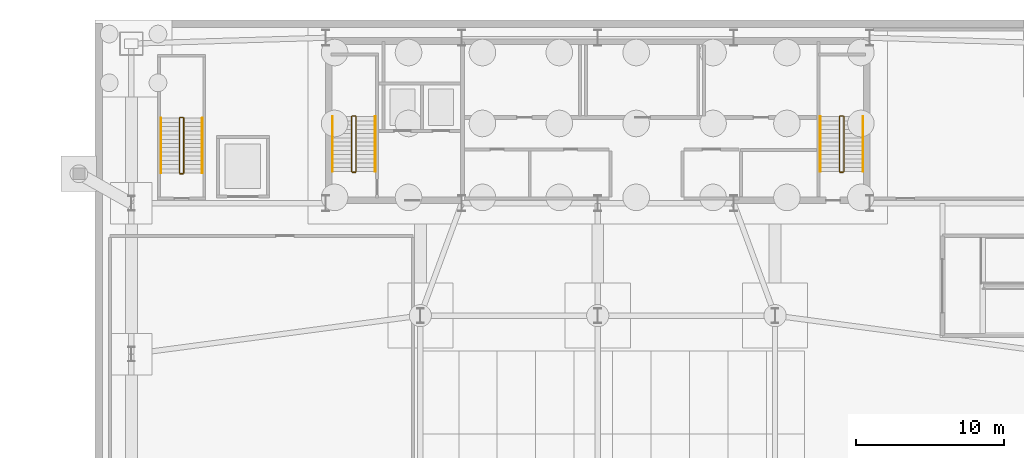
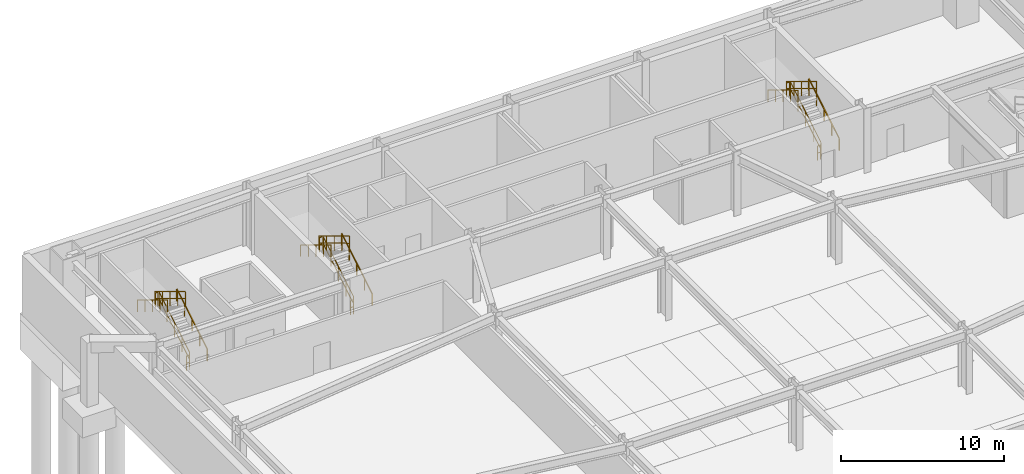
# One storey, part 10 of 12: 18 railings.
"""IFC4 building model written with IfcOpenShell, lengths in metres."""

from ifc_helpers import new_model, si_unit, direction, frame, origin, origin_2d, place, context, subcontext, project, spatial, rectangle, extrude, material, type_object, element, save


model = new_model("IFC4")

# Units and contexts
model_context = context("Model", 3, precision=1e-05, world=origin(), true_north=direction((0.0, 1.0)))
body_context = subcontext(model_context, "Body", "Model", "MODEL_VIEW")
ifc_project = project(units=[si_unit("LENGTHUNIT", "METRE"), si_unit("AREAUNIT", "SQUARE_METRE"), si_unit("VOLUMEUNIT", "CUBIC_METRE"), si_unit("PLANEANGLEUNIT", "RADIAN"), si_unit("MASSUNIT", "GRAM", prefix="KILO")], contexts=[model_context])

# Site, building, storey
site_placement = place(None, origin())
site = spatial("IfcSite", under=ifc_project, at=site_placement, CompositionType="ELEMENT")
building_placement = place(site_placement, origin())
building = spatial("IfcBuilding", under=site, at=building_placement, Name="Varnel Quay Broadcast Tower", CompositionType="ELEMENT")
storey_placement = place(building_placement, frame((0.0, 0.0, -9.60009765625)))
storey = spatial("IfcBuildingStorey", under=building, at=storey_placement, Name="B2", CompositionType="ELEMENT", Elevation=-9.60009765625)

# Railings
ifc_material = material(Name="Painted Steel Guard and Handrail CSA G40.21 350W", Category="steel")
railing_type_1 = type_object("IfcRailingType", Name="Rail_StairGuard1100", PredefinedType="GUARDRAIL", material=ifc_material)
railing_1_placement = place(storey_placement, frame((17.64990234375, 37.75, 0.171630859375)))
element("IfcRailing", 1, at=railing_1_placement, inside=storey, type_object=railing_type_1, Name="B2 ST-01 stair guard 1", PredefinedType="GUARDRAIL", context=body_context, shape_type="SweptSolid", body=[
    extrude(rectangle(XDim=0.048095703125, YDim=0.048095703125, at=origin_2d()), frame((0.0, 0.0, 1.076171875), z_axis=(0.0, 0.856934400257, 0.515425487977), x_axis=(-1.0, 0.0, 0.0)), (0.0, 0.0, 1.0), 4.32373046875),
    extrude(rectangle(XDim=0.048095703125, YDim=0.048095703125, at=origin_2d()), frame((0.0, 0.0, 0.550048828125), z_axis=(0.0, 0.856934400257, 0.515425487977), x_axis=(-1.0, 0.0, 0.0)), (0.0, 0.0, 1.0), 4.32373046875),
    extrude(rectangle(XDim=0.0419921875, YDim=0.0419921875, at=origin_2d()), origin(), (0.0, 0.0, 1.0), 1.052001953125),
    extrude(rectangle(XDim=0.0419921875, YDim=0.0419921875, at=origin_2d()), frame((0.0, 0.92626953125, 0.55712890625)), (0.0, 0.0, 1.0), 1.052001953125),
    extrude(rectangle(XDim=0.0419921875, YDim=0.0419921875, at=origin_2d()), frame((0.0, 1.8525390625, 1.1142578125)), (0.0, 0.0, 1.0), 1.052001953125),
    extrude(rectangle(XDim=0.0419921875, YDim=0.0419921875, at=origin_2d()), frame((0.0, 2.77880859375, 1.67138671875)), (0.0, 0.0, 1.0), 1.052001953125),
    extrude(rectangle(XDim=0.0419921875, YDim=0.0419921875, at=origin_2d()), frame((0.0, 3.705078125, 2.228515625)), (0.0, 0.0, 1.0), 1.052001953125),
])
railing_2_placement = place(storey_placement, frame((17.60009765625, 41.5048828125, 2.400146484375)))
element("IfcRailing", 2, at=railing_2_placement, inside=storey, type_object=railing_type_1, Name="B2 ST-01 stair guard 2", PredefinedType="GUARDRAIL", context=body_context, shape_type="SweptSolid", body=[
    extrude(rectangle(XDim=0.048095703125, YDim=0.048095703125, at=origin_2d()), frame((0.0, 0.0, 1.076171875), z_axis=(-1.0, 0.0, 0.0), x_axis=(0.0, -1.0, 0.0)), (0.0, 0.0, 1.0), 0.2001953125),
    extrude(rectangle(XDim=0.048095703125, YDim=0.048095703125, at=origin_2d()), frame((0.0, 0.0, 0.550048828125), z_axis=(-1.0, 0.0, 0.0), x_axis=(0.0, -1.0, 0.0)), (0.0, 0.0, 1.0), 0.2001953125),
    extrude(rectangle(XDim=0.0419921875, YDim=0.0419921875, at=origin_2d()), origin(), (0.0, 0.0, 1.0), 1.052001953125),
    extrude(rectangle(XDim=0.0419921875, YDim=0.0419921875, at=origin_2d()), frame((-0.2001953125, 0.0, 0.0)), (0.0, 0.0, 1.0), 1.052001953125),
])
railing_3_placement = place(storey_placement, frame((17.35009765625, 41.455078125, 2.571533203125)))
element("IfcRailing", 3, at=railing_3_placement, inside=storey, type_object=railing_type_1, Name="B2 ST-01 stair guard 3", PredefinedType="GUARDRAIL", context=body_context, shape_type="SweptSolid", body=[
    extrude(rectangle(XDim=0.048095703125, YDim=0.048095703125, at=origin_2d()), frame((0.0, 0.0, 1.076171875), z_axis=(0.0, -0.856934400257, 0.515425487977), x_axis=(1.0, 0.0, 0.0)), (0.0, 0.0, 1.0), 4.32373046875),
    extrude(rectangle(XDim=0.048095703125, YDim=0.048095703125, at=origin_2d()), frame((0.0, 0.0, 0.550048828125), z_axis=(0.0, -0.856934400257, 0.515425487977), x_axis=(1.0, 0.0, 0.0)), (0.0, 0.0, 1.0), 4.32373046875),
    extrude(rectangle(XDim=0.0419921875, YDim=0.0419921875, at=origin_2d()), origin(), (0.0, 0.0, 1.0), 1.052001953125),
    extrude(rectangle(XDim=0.0419921875, YDim=0.0419921875, at=origin_2d()), frame((0.0, -0.92626953125, 0.55712890625)), (0.0, 0.0, 1.0), 1.052001953125),
    extrude(rectangle(XDim=0.0419921875, YDim=0.0419921875, at=origin_2d()), frame((0.0, -1.8525390625, 1.1142578125)), (0.0, 0.0, 1.0), 1.052001953125),
    extrude(rectangle(XDim=0.0419921875, YDim=0.0419921875, at=origin_2d()), frame((0.0, -2.77880859375, 1.67138671875)), (0.0, 0.0, 1.0), 1.052001953125),
    extrude(rectangle(XDim=0.0419921875, YDim=0.0419921875, at=origin_2d()), frame((0.0, -3.705078125, 2.228515625)), (0.0, 0.0, 1.0), 1.052001953125),
])
railing_4_placement = place(storey_placement, frame((17.60009765625, 37.699951171875, 0.0)))
element("IfcRailing", 4, at=railing_4_placement, inside=storey, type_object=railing_type_1, Name="B2 ST-01 stair guard 4", PredefinedType="GUARDRAIL", context=body_context, shape_type="SweptSolid", body=[
    extrude(rectangle(XDim=0.048095703125, YDim=0.048095703125, at=origin_2d()), frame((0.0, 0.0, 1.076171875), z_axis=(-1.0, 0.0, 0.0), x_axis=(0.0, -1.0, 0.0)), (0.0, 0.0, 1.0), 0.2001953125),
    extrude(rectangle(XDim=0.048095703125, YDim=0.048095703125, at=origin_2d()), frame((0.0, 0.0, 0.550048828125), z_axis=(-1.0, 0.0, 0.0), x_axis=(0.0, -1.0, 0.0)), (0.0, 0.0, 1.0), 0.2001953125),
    extrude(rectangle(XDim=0.0419921875, YDim=0.0419921875, at=origin_2d()), origin(), (0.0, 0.0, 1.0), 1.052001953125),
    extrude(rectangle(XDim=0.0419921875, YDim=0.0419921875, at=origin_2d()), frame((-0.2001953125, 0.0, 0.0)), (0.0, 0.0, 1.0), 1.052001953125),
])
railing_5_placement = place(storey_placement, frame((50.64990234375, 37.75, 0.171630859375)))
element("IfcRailing", 5, at=railing_5_placement, inside=storey, type_object=railing_type_1, Name="B2 ST-02 stair guard 1", PredefinedType="GUARDRAIL", context=body_context, shape_type="SweptSolid", body=[
    extrude(rectangle(XDim=0.048095703125, YDim=0.048095703125, at=origin_2d()), frame((0.0, 0.0, 1.076171875), z_axis=(0.0, 0.856934400257, 0.515425487977), x_axis=(-1.0, 0.0, 0.0)), (0.0, 0.0, 1.0), 4.32373046875),
    extrude(rectangle(XDim=0.048095703125, YDim=0.048095703125, at=origin_2d()), frame((0.0, 0.0, 0.550048828125), z_axis=(0.0, 0.856934400257, 0.515425487977), x_axis=(-1.0, 0.0, 0.0)), (0.0, 0.0, 1.0), 4.32373046875),
    extrude(rectangle(XDim=0.0419921875, YDim=0.0419921875, at=origin_2d()), origin(), (0.0, 0.0, 1.0), 1.052001953125),
    extrude(rectangle(XDim=0.0419921875, YDim=0.0419921875, at=origin_2d()), frame((0.0, 0.92626953125, 0.55712890625)), (0.0, 0.0, 1.0), 1.052001953125),
    extrude(rectangle(XDim=0.0419921875, YDim=0.0419921875, at=origin_2d()), frame((0.0, 1.8525390625, 1.1142578125)), (0.0, 0.0, 1.0), 1.052001953125),
    extrude(rectangle(XDim=0.0419921875, YDim=0.0419921875, at=origin_2d()), frame((0.0, 2.77880859375, 1.67138671875)), (0.0, 0.0, 1.0), 1.052001953125),
    extrude(rectangle(XDim=0.0419921875, YDim=0.0419921875, at=origin_2d()), frame((0.0, 3.705078125, 2.228515625)), (0.0, 0.0, 1.0), 1.052001953125),
])
railing_6_placement = place(storey_placement, frame((50.60009765625, 41.5048828125, 2.400146484375)))
element("IfcRailing", 6, at=railing_6_placement, inside=storey, type_object=railing_type_1, Name="B2 ST-02 stair guard 2", PredefinedType="GUARDRAIL", context=body_context, shape_type="SweptSolid", body=[
    extrude(rectangle(XDim=0.048095703125, YDim=0.048095703125, at=origin_2d()), frame((0.0, 0.0, 1.076171875), z_axis=(-1.0, 0.0, 0.0), x_axis=(0.0, -1.0, 0.0)), (0.0, 0.0, 1.0), 0.2001953125),
    extrude(rectangle(XDim=0.048095703125, YDim=0.048095703125, at=origin_2d()), frame((0.0, 0.0, 0.550048828125), z_axis=(-1.0, 0.0, 0.0), x_axis=(0.0, -1.0, 0.0)), (0.0, 0.0, 1.0), 0.2001953125),
    extrude(rectangle(XDim=0.0419921875, YDim=0.0419921875, at=origin_2d()), origin(), (0.0, 0.0, 1.0), 1.052001953125),
    extrude(rectangle(XDim=0.0419921875, YDim=0.0419921875, at=origin_2d()), frame((-0.2001953125, 0.0, 0.0)), (0.0, 0.0, 1.0), 1.052001953125),
])
railing_7_placement = place(storey_placement, frame((50.35009765625, 41.455078125, 2.571533203125)))
element("IfcRailing", 7, at=railing_7_placement, inside=storey, type_object=railing_type_1, Name="B2 ST-02 stair guard 3", PredefinedType="GUARDRAIL", context=body_context, shape_type="SweptSolid", body=[
    extrude(rectangle(XDim=0.048095703125, YDim=0.048095703125, at=origin_2d()), frame((0.0, 0.0, 1.076171875), z_axis=(0.0, -0.856934400257, 0.515425487977), x_axis=(1.0, 0.0, 0.0)), (0.0, 0.0, 1.0), 4.32373046875),
    extrude(rectangle(XDim=0.048095703125, YDim=0.048095703125, at=origin_2d()), frame((0.0, 0.0, 0.550048828125), z_axis=(0.0, -0.856934400257, 0.515425487977), x_axis=(1.0, 0.0, 0.0)), (0.0, 0.0, 1.0), 4.32373046875),
    extrude(rectangle(XDim=0.0419921875, YDim=0.0419921875, at=origin_2d()), origin(), (0.0, 0.0, 1.0), 1.052001953125),
    extrude(rectangle(XDim=0.0419921875, YDim=0.0419921875, at=origin_2d()), frame((0.0, -0.92626953125, 0.55712890625)), (0.0, 0.0, 1.0), 1.052001953125),
    extrude(rectangle(XDim=0.0419921875, YDim=0.0419921875, at=origin_2d()), frame((0.0, -1.8525390625, 1.1142578125)), (0.0, 0.0, 1.0), 1.052001953125),
    extrude(rectangle(XDim=0.0419921875, YDim=0.0419921875, at=origin_2d()), frame((0.0, -2.77880859375, 1.67138671875)), (0.0, 0.0, 1.0), 1.052001953125),
    extrude(rectangle(XDim=0.0419921875, YDim=0.0419921875, at=origin_2d()), frame((0.0, -3.705078125, 2.228515625)), (0.0, 0.0, 1.0), 1.052001953125),
])
railing_8_placement = place(storey_placement, frame((50.60009765625, 37.699951171875, 0.0)))
element("IfcRailing", 8, at=railing_8_placement, inside=storey, type_object=railing_type_1, Name="B2 ST-02 stair guard 4", PredefinedType="GUARDRAIL", context=body_context, shape_type="SweptSolid", body=[
    extrude(rectangle(XDim=0.048095703125, YDim=0.048095703125, at=origin_2d()), frame((0.0, 0.0, 1.076171875), z_axis=(-1.0, 0.0, 0.0), x_axis=(0.0, -1.0, 0.0)), (0.0, 0.0, 1.0), 0.2001953125),
    extrude(rectangle(XDim=0.048095703125, YDim=0.048095703125, at=origin_2d()), frame((0.0, 0.0, 0.550048828125), z_axis=(-1.0, 0.0, 0.0), x_axis=(0.0, -1.0, 0.0)), (0.0, 0.0, 1.0), 0.2001953125),
    extrude(rectangle(XDim=0.0419921875, YDim=0.0419921875, at=origin_2d()), origin(), (0.0, 0.0, 1.0), 1.052001953125),
    extrude(rectangle(XDim=0.0419921875, YDim=0.0419921875, at=origin_2d()), frame((-0.2001953125, 0.0, 0.0)), (0.0, 0.0, 1.0), 1.052001953125),
])
railing_9_placement = place(storey_placement, frame((6.0, 37.64990234375, 0.171630859375)))
element("IfcRailing", 9, at=railing_9_placement, inside=storey, type_object=railing_type_1, Name="B2 ST-03 stair guard 1", PredefinedType="GUARDRAIL", context=body_context, shape_type="SweptSolid", body=[
    extrude(rectangle(XDim=0.048095703125, YDim=0.048095703125, at=origin_2d()), frame((0.0, 0.0, 1.076171875), z_axis=(0.0, 0.856934400257, 0.515425487977), x_axis=(-1.0, 0.0, 0.0)), (0.0, 0.0, 1.0), 4.32373046875),
    extrude(rectangle(XDim=0.048095703125, YDim=0.048095703125, at=origin_2d()), frame((0.0, 0.0, 0.550048828125), z_axis=(0.0, 0.856934400257, 0.515425487977), x_axis=(-1.0, 0.0, 0.0)), (0.0, 0.0, 1.0), 4.32373046875),
    extrude(rectangle(XDim=0.0419921875, YDim=0.0419921875, at=origin_2d()), origin(), (0.0, 0.0, 1.0), 1.052001953125),
    extrude(rectangle(XDim=0.0419921875, YDim=0.0419921875, at=origin_2d()), frame((0.0, 0.92626953125, 0.55712890625)), (0.0, 0.0, 1.0), 1.052001953125),
    extrude(rectangle(XDim=0.0419921875, YDim=0.0419921875, at=origin_2d()), frame((0.0, 1.8525390625, 1.1142578125)), (0.0, 0.0, 1.0), 1.052001953125),
    extrude(rectangle(XDim=0.0419921875, YDim=0.0419921875, at=origin_2d()), frame((0.0, 2.77880859375, 1.67138671875)), (0.0, 0.0, 1.0), 1.052001953125),
    extrude(rectangle(XDim=0.0419921875, YDim=0.0419921875, at=origin_2d()), frame((0.0, 3.705078125, 2.228515625)), (0.0, 0.0, 1.0), 1.052001953125),
])
railing_10_placement = place(storey_placement, frame((5.949951171875, 41.405029296875, 2.400146484375)))
element("IfcRailing", 10, at=railing_10_placement, inside=storey, type_object=railing_type_1, Name="B2 ST-03 stair guard 2", PredefinedType="GUARDRAIL", context=body_context, shape_type="SweptSolid", body=[
    extrude(rectangle(XDim=0.048095703125, YDim=0.048095703125, at=origin_2d()), frame((0.0, 0.0, 1.076171875), z_axis=(-1.0, 0.0, 0.0), x_axis=(0.0, -1.0, 0.0)), (0.0, 0.0, 1.0), 0.199951171875),
    extrude(rectangle(XDim=0.048095703125, YDim=0.048095703125, at=origin_2d()), frame((0.0, 0.0, 0.550048828125), z_axis=(-1.0, 0.0, 0.0), x_axis=(0.0, -1.0, 0.0)), (0.0, 0.0, 1.0), 0.199951171875),
    extrude(rectangle(XDim=0.0419921875, YDim=0.0419921875, at=origin_2d()), origin(), (0.0, 0.0, 1.0), 1.052001953125),
    extrude(rectangle(XDim=0.0419921875, YDim=0.0419921875, at=origin_2d()), frame((-0.199951171875, 0.0, 0.0)), (0.0, 0.0, 1.0), 1.052001953125),
])
railing_11_placement = place(storey_placement, frame((5.699951171875, 41.35498046875, 2.571533203125)))
element("IfcRailing", 11, at=railing_11_placement, inside=storey, type_object=railing_type_1, Name="B2 ST-03 stair guard 3", PredefinedType="GUARDRAIL", context=body_context, shape_type="SweptSolid", body=[
    extrude(rectangle(XDim=0.048095703125, YDim=0.048095703125, at=origin_2d()), frame((0.0, 0.0, 1.076171875), z_axis=(0.0, -0.856934400257, 0.515425487977), x_axis=(1.0, 0.0, 0.0)), (0.0, 0.0, 1.0), 4.32373046875),
    extrude(rectangle(XDim=0.048095703125, YDim=0.048095703125, at=origin_2d()), frame((0.0, 0.0, 0.550048828125), z_axis=(0.0, -0.856934400257, 0.515425487977), x_axis=(1.0, 0.0, 0.0)), (0.0, 0.0, 1.0), 4.32373046875),
    extrude(rectangle(XDim=0.0419921875, YDim=0.0419921875, at=origin_2d()), origin(), (0.0, 0.0, 1.0), 1.052001953125),
    extrude(rectangle(XDim=0.0419921875, YDim=0.0419921875, at=origin_2d()), frame((0.0, -0.92626953125, 0.55712890625)), (0.0, 0.0, 1.0), 1.052001953125),
    extrude(rectangle(XDim=0.0419921875, YDim=0.0419921875, at=origin_2d()), frame((0.0, -1.8525390625, 1.1142578125)), (0.0, 0.0, 1.0), 1.052001953125),
    extrude(rectangle(XDim=0.0419921875, YDim=0.0419921875, at=origin_2d()), frame((0.0, -2.77880859375, 1.67138671875)), (0.0, 0.0, 1.0), 1.052001953125),
    extrude(rectangle(XDim=0.0419921875, YDim=0.0419921875, at=origin_2d()), frame((0.0, -3.705078125, 2.228515625)), (0.0, 0.0, 1.0), 1.052001953125),
])
railing_12_placement = place(storey_placement, frame((5.949951171875, 37.60009765625, 0.0)))
element("IfcRailing", 12, at=railing_12_placement, inside=storey, type_object=railing_type_1, Name="B2 ST-03 stair guard 4", PredefinedType="GUARDRAIL", context=body_context, shape_type="SweptSolid", body=[
    extrude(rectangle(XDim=0.048095703125, YDim=0.048095703125, at=origin_2d()), frame((0.0, 0.0, 1.076171875), z_axis=(-1.0, 0.0, 0.0), x_axis=(0.0, -1.0, 0.0)), (0.0, 0.0, 1.0), 0.199951171875),
    extrude(rectangle(XDim=0.048095703125, YDim=0.048095703125, at=origin_2d()), frame((0.0, 0.0, 0.550048828125), z_axis=(-1.0, 0.0, 0.0), x_axis=(0.0, -1.0, 0.0)), (0.0, 0.0, 1.0), 0.199951171875),
    extrude(rectangle(XDim=0.0419921875, YDim=0.0419921875, at=origin_2d()), origin(), (0.0, 0.0, 1.0), 1.052001953125),
    extrude(rectangle(XDim=0.0419921875, YDim=0.0419921875, at=origin_2d()), frame((-0.199951171875, 0.0, 0.0)), (0.0, 0.0, 1.0), 1.052001953125),
])
railing_type_2 = type_object("IfcRailingType", Name="Rail_StairHandrail900", PredefinedType="HANDRAIL", material=ifc_material)
railing_13_placement = place(storey_placement, frame((18.949951171875, 37.75, 0.171630859375)))
element("IfcRailing", 13, at=railing_13_placement, inside=storey, type_object=railing_type_2, Name="B2 ST-01 stair handrail 1", PredefinedType="HANDRAIL", context=body_context, shape_type="SweptSolid", body=[
    extrude(rectangle(XDim=0.048095703125, YDim=0.048095703125, at=origin_2d()), frame((0.0, 0.0, 0.8759765625), z_axis=(0.0, 0.856934400257, 0.515425487977), x_axis=(-1.0, 0.0, 0.0)), (0.0, 0.0, 1.0), 4.32373046875),
    extrude(rectangle(XDim=0.0419921875, YDim=0.0419921875, at=origin_2d()), origin(), (0.0, 0.0, 1.0), 0.851806640625),
    extrude(rectangle(XDim=0.0419921875, YDim=0.0419921875, at=origin_2d()), frame((0.0, 0.92626953125, 0.55712890625)), (0.0, 0.0, 1.0), 0.851806640625),
    extrude(rectangle(XDim=0.0419921875, YDim=0.0419921875, at=origin_2d()), frame((0.0, 1.8525390625, 1.1142578125)), (0.0, 0.0, 1.0), 0.851806640625),
    extrude(rectangle(XDim=0.0419921875, YDim=0.0419921875, at=origin_2d()), frame((0.0, 2.77880859375, 1.67138671875)), (0.0, 0.0, 1.0), 0.851806640625),
    extrude(rectangle(XDim=0.0419921875, YDim=0.0419921875, at=origin_2d()), frame((0.0, 3.705078125, 2.228515625)), (0.0, 0.0, 1.0), 0.851806640625),
])
railing_14_placement = place(storey_placement, frame((16.050048828125, 41.455078125, 2.571533203125)))
element("IfcRailing", 14, at=railing_14_placement, inside=storey, type_object=railing_type_2, Name="B2 ST-01 stair handrail 2", PredefinedType="HANDRAIL", context=body_context, shape_type="SweptSolid", body=[
    extrude(rectangle(XDim=0.048095703125, YDim=0.048095703125, at=origin_2d()), frame((0.0, 0.0, 0.8759765625), z_axis=(0.0, -0.856934400257, 0.515425487977), x_axis=(1.0, 0.0, 0.0)), (0.0, 0.0, 1.0), 4.32373046875),
    extrude(rectangle(XDim=0.0419921875, YDim=0.0419921875, at=origin_2d()), origin(), (0.0, 0.0, 1.0), 0.851806640625),
    extrude(rectangle(XDim=0.0419921875, YDim=0.0419921875, at=origin_2d()), frame((0.0, -0.92626953125, 0.55712890625)), (0.0, 0.0, 1.0), 0.851806640625),
    extrude(rectangle(XDim=0.0419921875, YDim=0.0419921875, at=origin_2d()), frame((0.0, -1.8525390625, 1.1142578125)), (0.0, 0.0, 1.0), 0.851806640625),
    extrude(rectangle(XDim=0.0419921875, YDim=0.0419921875, at=origin_2d()), frame((0.0, -2.77880859375, 1.67138671875)), (0.0, 0.0, 1.0), 0.851806640625),
    extrude(rectangle(XDim=0.0419921875, YDim=0.0419921875, at=origin_2d()), frame((0.0, -3.705078125, 2.228515625)), (0.0, 0.0, 1.0), 0.851806640625),
])
railing_15_placement = place(storey_placement, frame((51.949951171875, 37.75, 0.171630859375)))
element("IfcRailing", 15, at=railing_15_placement, inside=storey, type_object=railing_type_2, Name="B2 ST-02 stair handrail 1", PredefinedType="HANDRAIL", context=body_context, shape_type="SweptSolid", body=[
    extrude(rectangle(XDim=0.048095703125, YDim=0.048095703125, at=origin_2d()), frame((0.0, 0.0, 0.8759765625), z_axis=(0.0, 0.856934400257, 0.515425487977), x_axis=(-1.0, 0.0, 0.0)), (0.0, 0.0, 1.0), 4.32373046875),
    extrude(rectangle(XDim=0.0419921875, YDim=0.0419921875, at=origin_2d()), origin(), (0.0, 0.0, 1.0), 0.851806640625),
    extrude(rectangle(XDim=0.0419921875, YDim=0.0419921875, at=origin_2d()), frame((0.0, 0.92626953125, 0.55712890625)), (0.0, 0.0, 1.0), 0.851806640625),
    extrude(rectangle(XDim=0.0419921875, YDim=0.0419921875, at=origin_2d()), frame((0.0, 1.8525390625, 1.1142578125)), (0.0, 0.0, 1.0), 0.851806640625),
    extrude(rectangle(XDim=0.0419921875, YDim=0.0419921875, at=origin_2d()), frame((0.0, 2.77880859375, 1.67138671875)), (0.0, 0.0, 1.0), 0.851806640625),
    extrude(rectangle(XDim=0.0419921875, YDim=0.0419921875, at=origin_2d()), frame((0.0, 3.705078125, 2.228515625)), (0.0, 0.0, 1.0), 0.851806640625),
])
railing_16_placement = place(storey_placement, frame((49.050048828125, 41.455078125, 2.571533203125)))
element("IfcRailing", 16, at=railing_16_placement, inside=storey, type_object=railing_type_2, Name="B2 ST-02 stair handrail 2", PredefinedType="HANDRAIL", context=body_context, shape_type="SweptSolid", body=[
    extrude(rectangle(XDim=0.048095703125, YDim=0.048095703125, at=origin_2d()), frame((0.0, 0.0, 0.8759765625), z_axis=(0.0, -0.856934400257, 0.515425487977), x_axis=(1.0, 0.0, 0.0)), (0.0, 0.0, 1.0), 4.32373046875),
    extrude(rectangle(XDim=0.0419921875, YDim=0.0419921875, at=origin_2d()), origin(), (0.0, 0.0, 1.0), 0.851806640625),
    extrude(rectangle(XDim=0.0419921875, YDim=0.0419921875, at=origin_2d()), frame((0.0, -0.92626953125, 0.55712890625)), (0.0, 0.0, 1.0), 0.851806640625),
    extrude(rectangle(XDim=0.0419921875, YDim=0.0419921875, at=origin_2d()), frame((0.0, -1.8525390625, 1.1142578125)), (0.0, 0.0, 1.0), 0.851806640625),
    extrude(rectangle(XDim=0.0419921875, YDim=0.0419921875, at=origin_2d()), frame((0.0, -2.77880859375, 1.67138671875)), (0.0, 0.0, 1.0), 0.851806640625),
    extrude(rectangle(XDim=0.0419921875, YDim=0.0419921875, at=origin_2d()), frame((0.0, -3.705078125, 2.228515625)), (0.0, 0.0, 1.0), 0.851806640625),
])
railing_17_placement = place(storey_placement, frame((7.25, 37.64990234375, 0.171630859375)))
element("IfcRailing", 17, at=railing_17_placement, inside=storey, type_object=railing_type_2, Name="B2 ST-03 stair handrail 1", PredefinedType="HANDRAIL", context=body_context, shape_type="SweptSolid", body=[
    extrude(rectangle(XDim=0.048095703125, YDim=0.048095703125, at=origin_2d()), frame((0.0, 0.0, 0.8759765625), z_axis=(0.0, 0.856934400257, 0.515425487977), x_axis=(-1.0, 0.0, 0.0)), (0.0, 0.0, 1.0), 4.32373046875),
    extrude(rectangle(XDim=0.0419921875, YDim=0.0419921875, at=origin_2d()), origin(), (0.0, 0.0, 1.0), 0.851806640625),
    extrude(rectangle(XDim=0.0419921875, YDim=0.0419921875, at=origin_2d()), frame((0.0, 0.92626953125, 0.55712890625)), (0.0, 0.0, 1.0), 0.851806640625),
    extrude(rectangle(XDim=0.0419921875, YDim=0.0419921875, at=origin_2d()), frame((0.0, 1.8525390625, 1.1142578125)), (0.0, 0.0, 1.0), 0.851806640625),
    extrude(rectangle(XDim=0.0419921875, YDim=0.0419921875, at=origin_2d()), frame((0.0, 2.77880859375, 1.67138671875)), (0.0, 0.0, 1.0), 0.851806640625),
    extrude(rectangle(XDim=0.0419921875, YDim=0.0419921875, at=origin_2d()), frame((0.0, 3.705078125, 2.228515625)), (0.0, 0.0, 1.0), 0.851806640625),
])
railing_18_placement = place(storey_placement, frame((4.449951171875, 41.35498046875, 2.571533203125)))
element("IfcRailing", 18, at=railing_18_placement, inside=storey, type_object=railing_type_2, Name="B2 ST-03 stair handrail 2", PredefinedType="HANDRAIL", context=body_context, shape_type="SweptSolid", body=[
    extrude(rectangle(XDim=0.048095703125, YDim=0.048095703125, at=origin_2d()), frame((0.0, 0.0, 0.8759765625), z_axis=(0.0, -0.856934400257, 0.515425487977), x_axis=(1.0, 0.0, 0.0)), (0.0, 0.0, 1.0), 4.32373046875),
    extrude(rectangle(XDim=0.0419921875, YDim=0.0419921875, at=origin_2d()), origin(), (0.0, 0.0, 1.0), 0.851806640625),
    extrude(rectangle(XDim=0.0419921875, YDim=0.0419921875, at=origin_2d()), frame((0.0, -0.92626953125, 0.55712890625)), (0.0, 0.0, 1.0), 0.851806640625),
    extrude(rectangle(XDim=0.0419921875, YDim=0.0419921875, at=origin_2d()), frame((0.0, -1.8525390625, 1.1142578125)), (0.0, 0.0, 1.0), 0.851806640625),
    extrude(rectangle(XDim=0.0419921875, YDim=0.0419921875, at=origin_2d()), frame((0.0, -2.77880859375, 1.67138671875)), (0.0, 0.0, 1.0), 0.851806640625),
    extrude(rectangle(XDim=0.0419921875, YDim=0.0419921875, at=origin_2d()), frame((0.0, -3.705078125, 2.228515625)), (0.0, 0.0, 1.0), 0.851806640625),
])

save(model, "model.ifc")
